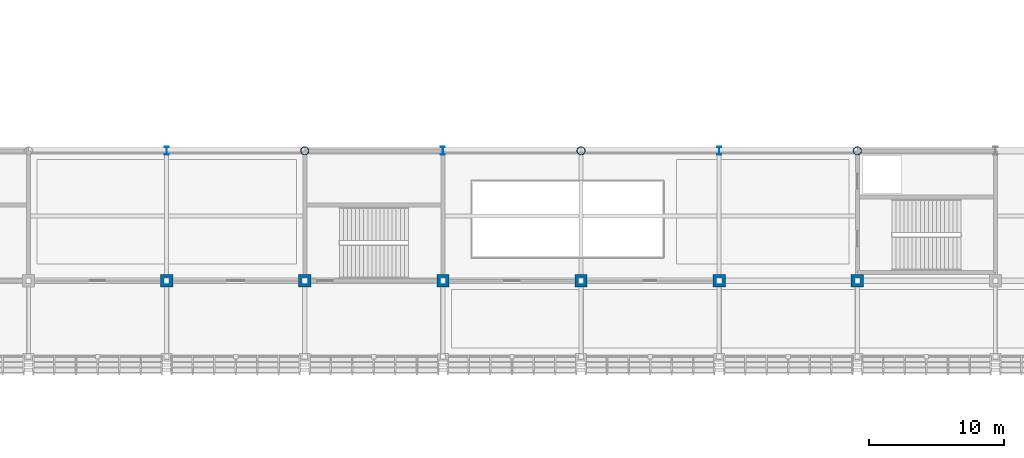
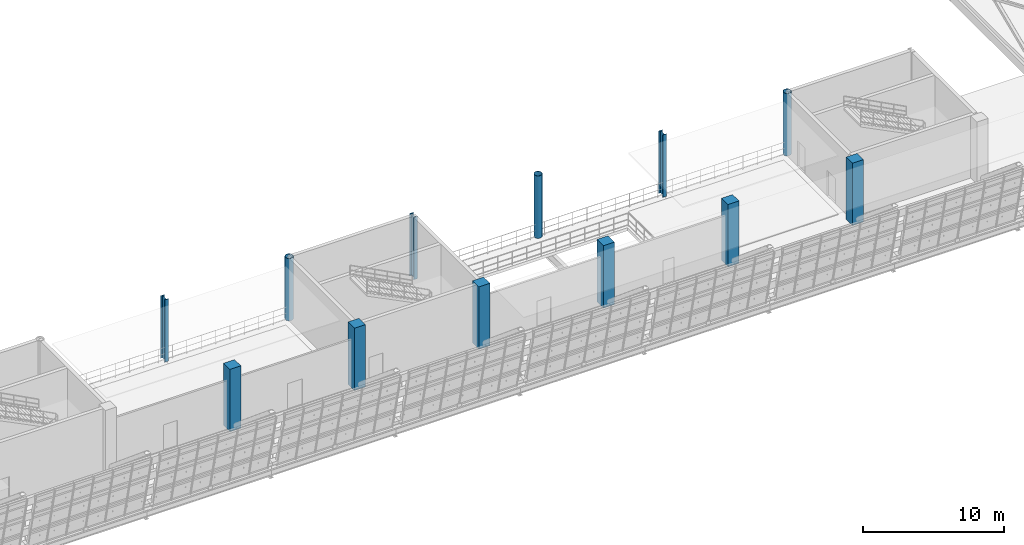
# One storey, part 4 of 175: 12 columns.
"""IFC4 building model written with IfcOpenShell, lengths in metres."""

from ifc_helpers import new_model, si_unit, direction, frame, origin, origin_2d, place, context, subcontext, project, spatial, rectangle, hollow_circle, i_section, extrude, material, material_profile, profile_set, type_object, element, save


model = new_model("IFC4")

# Units and contexts
model_context = context("Model", 3, precision=1e-05, world=origin(), true_north=direction((0.0, 1.0)))
body_context = subcontext(model_context, "Body", "Model", "MODEL_VIEW")
ifc_project = project(units=[si_unit("LENGTHUNIT", "METRE"), si_unit("AREAUNIT", "SQUARE_METRE"), si_unit("VOLUMEUNIT", "CUBIC_METRE"), si_unit("PLANEANGLEUNIT", "RADIAN"), si_unit("MASSUNIT", "GRAM", prefix="KILO")], contexts=[model_context])

# Site, building, storey
site_placement = place(None, origin())
site = spatial("IfcSite", under=ifc_project, at=site_placement, CompositionType="ELEMENT")
building_placement = place(site_placement, origin())
building = spatial("IfcBuilding", under=site, at=building_placement, Name="Brelvane Convention Centre", CompositionType="ELEMENT")
storey_placement = place(building_placement, frame((0.0, 0.0, 5.39990234375)))
storey = spatial("IfcBuildingStorey", under=building, at=storey_placement, Name="L01", CompositionType="ELEMENT", Elevation=5.39990234375)

# Columns
ifc_material_1 = material(Name="Concrete M50", Category="concrete")
ifc_material_profile_1 = material_profile(ifc_material_1, rectangle(XDim=0.89990234375, YDim=0.89990234375, at=origin_2d()), Name="RC 900x900")
ifc_profile_set_1 = profile_set([ifc_material_profile_1], Name="Concrete M50")
column_type_1 = type_object("IfcColumnType", Name="RC Column C-RC2 (RC 900x900)", PredefinedType="COLUMN", material=ifc_profile_set_1)
for number, where, z_axis, x_axis, name in (
    (1, (71.39990234375, 19.199951171875, 0.0), (0.0, 0.0, 1.0), (1.0, 0.0, 0.0), "Column 8-C (L01)"),
    (2, (81.60009765625, 19.199951171875, 0.0), (0.0, 0.0, 1.0), (1.0, 0.0, 0.0), "Column 9-C (L01)"),
    (3, (91.800048828125, 19.199951171875, 0.0), (0.0, 0.0, 1.0), (1.0, 0.0, 0.0), "Column 10-C (L01)"),
    (4, (102.0, 19.199951171875, 0.0), (0.0, 0.0, 1.0), (1.0, 0.0, 0.0), "Column 11-C (L01)"),
    (5, (112.199951171875, 19.199951171875, 0.0), (0.0, 0.0, 1.0), (1.0, 0.0, 0.0), "Column 12-C (L01)"),
    (6, (122.39990234375, 19.199951171875, 0.0), (0.0, 0.0, 1.0), (1.0, 0.0, 0.0), "Column 13-C (L01)"),
):
    element("IfcColumn", number, at=place(storey_placement, frame(where, z_axis=z_axis, x_axis=x_axis)), inside=storey, type_object=column_type_1, Name=name, PredefinedType="COLUMN", context=body_context, shape_type="SweptSolid", body=[
        extrude(rectangle(XDim=0.89990234375, YDim=0.89990234375, at=origin_2d()), origin(), (0.0, 0.0, 1.0), 5.400146484375),
    ])
ifc_material_2 = material(Name="Steel E450 (450 MPa)", Category="steel")
ifc_material_profile_2 = material_profile(ifc_material_2, hollow_circle(Radius=0.304931640625, WallThickness=0.02490234375, at=origin_2d()), Name="CHS 610.0x25.0")
ifc_profile_set_2 = profile_set([ifc_material_profile_2], Name="Steel E450 (450 MPa)")
column_type_2 = type_object("IfcColumnType", Name="Steel Column C-ST1 (CHS 610.0x25.0)", PredefinedType="COLUMN", material=ifc_profile_set_2)
for number, where, z_axis, x_axis, name in (
    (7, (81.60009765625, 28.800048828125, 0.0), (0.0, 0.0, 1.0), (1.0, 0.0, 0.0), "Column 9-D (L01)"),
    (8, (102.0, 28.800048828125, 0.0), (0.0, 0.0, 1.0), (1.0, 0.0, 0.0), "Column 11-D (L01)"),
    (9, (122.39990234375, 28.800048828125, 0.0), (0.0, 0.0, 1.0), (1.0, 0.0, 0.0), "Column 13-D (L01)"),
):
    element("IfcColumn", number, at=place(storey_placement, frame(where, z_axis=z_axis, x_axis=x_axis)), inside=storey, type_object=column_type_2, Name=name, PredefinedType="COLUMN", context=body_context, shape_type="SweptSolid", body=[
        extrude(hollow_circle(Radius=0.304931640625, WallThickness=0.02490234375, at=origin_2d()), origin(), (0.0, 0.0, 1.0), 5.400146484375),
    ])
ifc_material_3 = material(Name="Steel E450 (450 MPa)", Category="steel")
ifc_material_profile_3 = material_profile(ifc_material_3, i_section(OverallWidth=0.300048828125, OverallDepth=0.60009765625, WebThickness=0.015380859375, FlangeThickness=0.030029296875, FilletRadius=0.027099609375, at=origin_2d()), Name="WPB 600x300")
ifc_profile_set_3 = profile_set([ifc_material_profile_3], Name="Steel E450 (450 MPa)")
column_type_3 = type_object("IfcColumnType", Name="Steel Column C-ST5 (WPB 600x300)", PredefinedType="COLUMN", material=ifc_profile_set_3)
for number, where, z_axis, x_axis, name in (
    (10, (71.39990234375, 28.800048828125, 0.0), (0.0, 0.0, 1.0), (1.0, 0.0, 0.0), "Column 8-D (L01)"),
    (11, (91.800048828125, 28.800048828125, 0.0), (0.0, 0.0, 1.0), (1.0, 0.0, 0.0), "Column 10-D (L01)"),
    (12, (112.199951171875, 28.800048828125, 0.0), (0.0, 0.0, 1.0), (1.0, 0.0, 0.0), "Column 12-D (L01)"),
):
    element("IfcColumn", number, at=place(storey_placement, frame(where, z_axis=z_axis, x_axis=x_axis)), inside=storey, type_object=column_type_3, Name=name, PredefinedType="COLUMN", context=body_context, shape_type="SweptSolid", body=[
        extrude(i_section(OverallWidth=0.300048828125, OverallDepth=0.60009765625, WebThickness=0.015380859375, FlangeThickness=0.030029296875, FilletRadius=0.027099609375, at=origin_2d()), origin(), (0.0, 0.0, 1.0), 5.400146484375),
    ])

save(model, "model.ifc")
